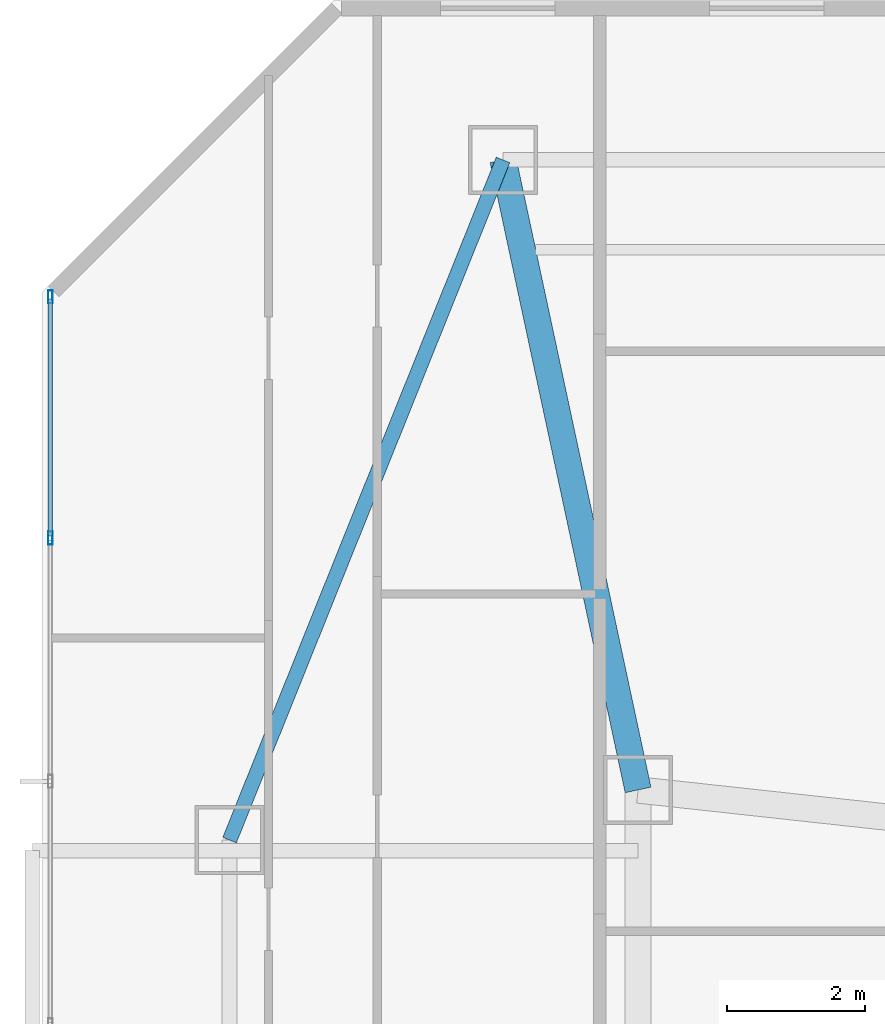
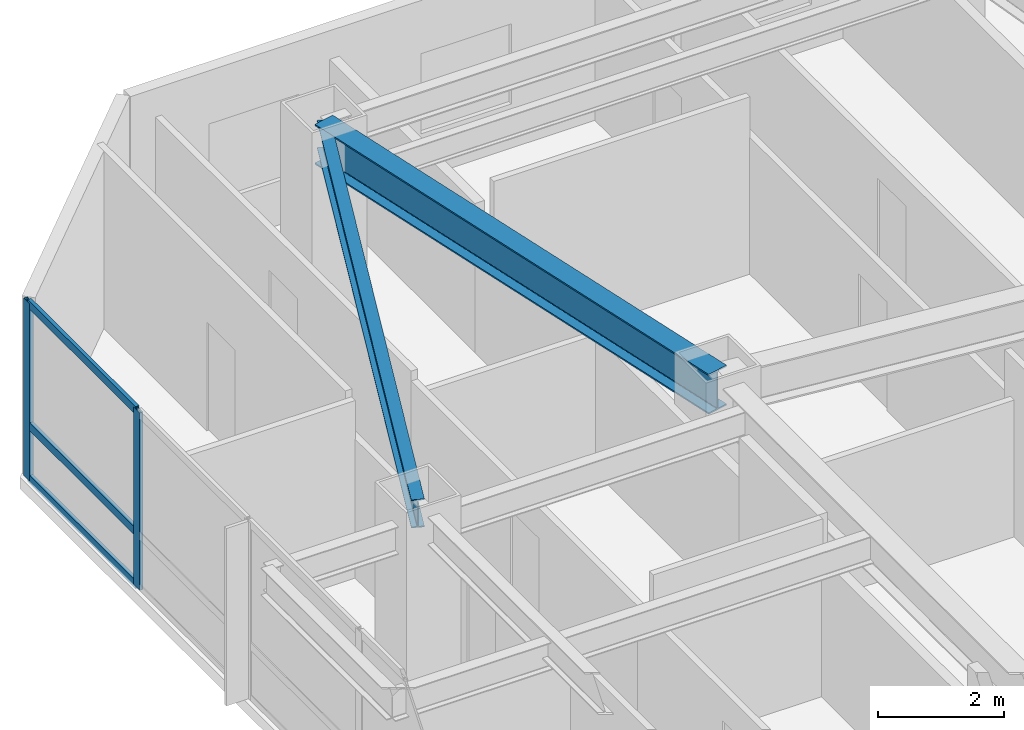
# One storey, part 10 of 21: 5 members, 2 beams, 1 element without a shape of its own.
"""IFC4 building model written with IfcOpenShell, lengths in metres."""

from ifc_helpers import new_model, si_unit, direction, frame, origin, origin_2d, place, context, subcontext, project, spatial, hollow_rectangle, i_section, extrude, material, material_profile, profile_set, type_object, element, aggregate, save


model = new_model("IFC4")

# Units and contexts
model_context = context("Model", 3, precision=1e-05, world=origin(), true_north=direction((0.0, 1.0)))
body_context = subcontext(model_context, "Body", "Model", "MODEL_VIEW")
ifc_project = project(units=[si_unit("LENGTHUNIT", "METRE"), si_unit("AREAUNIT", "SQUARE_METRE"), si_unit("VOLUMEUNIT", "CUBIC_METRE"), si_unit("PLANEANGLEUNIT", "RADIAN"), si_unit("MASSUNIT", "GRAM", prefix="KILO")], contexts=[model_context])

# Site, building, storey
site_placement = place(None, origin())
site = spatial("IfcSite", under=ifc_project, at=site_placement, CompositionType="ELEMENT")
building_placement = place(site_placement, origin())
building = spatial("IfcBuilding", under=site, at=building_placement, Name="Khamvora Tower", CompositionType="ELEMENT")
storey_placement = place(building_placement, frame((0.0, 0.0, 98.25)))
storey = spatial("IfcBuildingStorey", under=building, at=storey_placement, Name="L24", CompositionType="ELEMENT", Elevation=98.25)

# Beams
ifc_material_1 = material(Name="Steel S355", Category="steel")
ifc_material_profile_1 = material_profile(ifc_material_1, i_section(OverallWidth=0.381103515625, OverallDepth=0.77294921875, WebThickness=0.01708984375, FlangeThickness=0.027099609375, FilletRadius=0.01806640625, at=origin_2d()), Name="W760x257")
ifc_profile_set_1 = profile_set([ifc_material_profile_1], Name="Steel S355")
beam_type_1 = type_object("IfcBeamType", Name="BM-PG-W760x257", PredefinedType="BEAM", material=ifc_profile_set_1)
beam_1_placement = place(storey_placement, frame((18.0, 38.199951171875, 3.0439453125), z_axis=(-0.209521922673, 0.977803949634, 0.0), x_axis=(-0.977803949634, -0.209521922673, 0.0)))
element("IfcBeam", 1, at=beam_1_placement, inside=storey, type_object=beam_type_1, Name="L24 primary floor girder N1", PredefinedType="BEAM", context=body_context, shape_type="SweptSolid", body=[
    extrude(i_section(OverallWidth=0.381103515625, OverallDepth=0.77294921875, WebThickness=0.01708984375, FlangeThickness=0.027099609375, FilletRadius=0.01806640625, at=origin_2d()), origin(), (0.0, 0.0, 1.0), 9.306640625),
])
ifc_material_profile_2 = material_profile(ifc_material_1, i_section(OverallWidth=0.2119140625, OverallDepth=0.5439453125, WebThickness=0.012939453125, FlangeThickness=0.02099609375, FilletRadius=0.013916015625, at=origin_2d()), Name="W530x123")
ifc_profile_set_2 = profile_set([ifc_material_profile_2], Name="Steel S355")
beam_type_2 = type_object("IfcBeamType", Name="BM-SP-W530x123", PredefinedType="SPANDREL", material=ifc_profile_set_2)
beam_2_placement = place(storey_placement, frame((16.050048828125, 47.300048828125, 3.157958984375), z_axis=(-0.373015921536, -0.927824941614, 0.0), x_axis=(0.927824941614, -0.373015921536, 0.0)))
element("IfcBeam", 2, at=beam_2_placement, inside=storey, type_object=beam_type_2, Name="L24 perimeter spandrel beam N1-W2", PredefinedType="SPANDREL", context=body_context, shape_type="SweptSolid", body=[
    extrude(i_section(OverallWidth=0.2119140625, OverallDepth=0.5439453125, WebThickness=0.012939453125, FlangeThickness=0.02099609375, FilletRadius=0.013916015625, at=origin_2d()), origin(), (0.0, 0.0, 1.0), 10.589111328125),
])

# Curtain wall, members
ifc_material_2 = material(Name="Anodised Aluminium 6063-T6", Category="aluminium")
curtain_wall_type = type_object("IfcCurtainWallType", Name="CW-SYS-03", PredefinedType="NOTDEFINED", material=ifc_material_2)
curtain_wall_placement = place(storey_placement, origin())
curtain_wall = element("IfcCurtainWall", 3, at=curtain_wall_placement, inside=storey, type_object=curtain_wall_type, Name="L24 stick curtain wall 05.1", PredefinedType="NOTDEFINED")
ifc_material_profile_3 = material_profile(ifc_material_2, hollow_rectangle(XDim=0.06494140625, YDim=0.18994140625, WallThickness=0.0048828125, at=origin_2d()), Name="MUL65x190x5")
ifc_profile_set_3 = profile_set([ifc_material_profile_3], Name="Anodised Aluminium 6063-T6")
member_type_1 = type_object("IfcMemberType", Name="CW-SYS-03-MUL", PredefinedType="MULLION", material=ifc_profile_set_3)
member_1_placement = place(storey_placement, frame((9.510009765625, 41.8388671875, 0.0), z_axis=(0.0, 0.0, 1.0), x_axis=(-1.0, 0.0, 0.0)))
member_1 = element("IfcMember", 4, at=member_1_placement, type_object=member_type_1, Name="CW-03 mullion 4", PredefinedType="MULLION", context=body_context, shape_type="SweptSolid", body=[
    extrude(hollow_rectangle(XDim=0.06494140625, YDim=0.18994140625, WallThickness=0.0048828125, at=origin_2d()), origin(), (0.0, 0.0, 1.0), 3.429931640625),
])
member_2_placement = place(storey_placement, frame((9.510009765625, 45.321533203125, 0.0), z_axis=(0.0, 0.0, 1.0), x_axis=(-1.0, 0.0, 0.0)))
member_2 = element("IfcMember", 5, at=member_2_placement, type_object=member_type_1, Name="CW-03 mullion 5", PredefinedType="MULLION", context=body_context, shape_type="SweptSolid", body=[
    extrude(hollow_rectangle(XDim=0.06494140625, YDim=0.18994140625, WallThickness=0.0048828125, at=origin_2d()), origin(), (0.0, 0.0, 1.0), 3.429931640625),
])
ifc_material_profile_4 = material_profile(ifc_material_2, hollow_rectangle(XDim=0.06494140625, YDim=0.155029296875, WallThickness=0.0048828125, at=origin_2d()), Name="TRN65x155x5")
ifc_profile_set_4 = profile_set([ifc_material_profile_4], Name="Anodised Aluminium 6063-T6")
member_type_2 = type_object("IfcMemberType", Name="CW-SYS-03-TRN", PredefinedType="USERDEFINED", material=ifc_profile_set_4)
member_3_placement = place(storey_placement, frame((9.510009765625, 41.871337890625, 0.032470703125), z_axis=(0.0, 1.0, 0.0), x_axis=(-1.0, 0.0, 0.0)))
member_3 = element("IfcMember", 6, at=member_3_placement, type_object=member_type_2, Name="CW-03 transom 4.1", ObjectType="TRANSOM", PredefinedType="USERDEFINED", context=body_context, shape_type="SweptSolid", body=[
    extrude(hollow_rectangle(XDim=0.06494140625, YDim=0.155029296875, WallThickness=0.0048828125, at=origin_2d()), origin(), (0.0, 0.0, 1.0), 3.417724609375),
])
member_4_placement = place(storey_placement, frame((9.510009765625, 41.871337890625, 1.050048828125), z_axis=(0.0, 1.0, 0.0), x_axis=(-1.0, 0.0, 0.0)))
member_4 = element("IfcMember", 7, at=member_4_placement, type_object=member_type_2, Name="CW-03 transom 4.2", ObjectType="TRANSOM", PredefinedType="USERDEFINED", context=body_context, shape_type="SweptSolid", body=[
    extrude(hollow_rectangle(XDim=0.06494140625, YDim=0.155029296875, WallThickness=0.0048828125, at=origin_2d()), origin(), (0.0, 0.0, 1.0), 3.417724609375),
])
member_5_placement = place(storey_placement, frame((9.510009765625, 41.871337890625, 3.3974609375), z_axis=(0.0, 1.0, 0.0), x_axis=(-1.0, 0.0, 0.0)))
member_5 = element("IfcMember", 8, at=member_5_placement, type_object=member_type_2, Name="CW-03 transom 4.3", ObjectType="TRANSOM", PredefinedType="USERDEFINED", context=body_context, shape_type="SweptSolid", body=[
    extrude(hollow_rectangle(XDim=0.06494140625, YDim=0.155029296875, WallThickness=0.0048828125, at=origin_2d()), origin(), (0.0, 0.0, 1.0), 3.417724609375),
])
aggregate(curtain_wall, [member_1, member_2, member_3, member_4, member_5])

save(model, "model.ifc")
